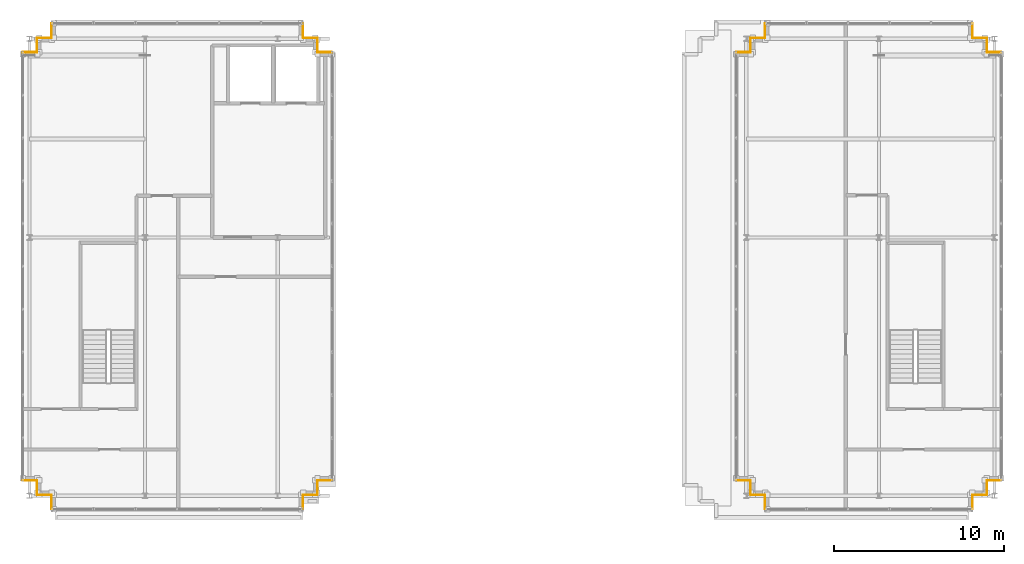
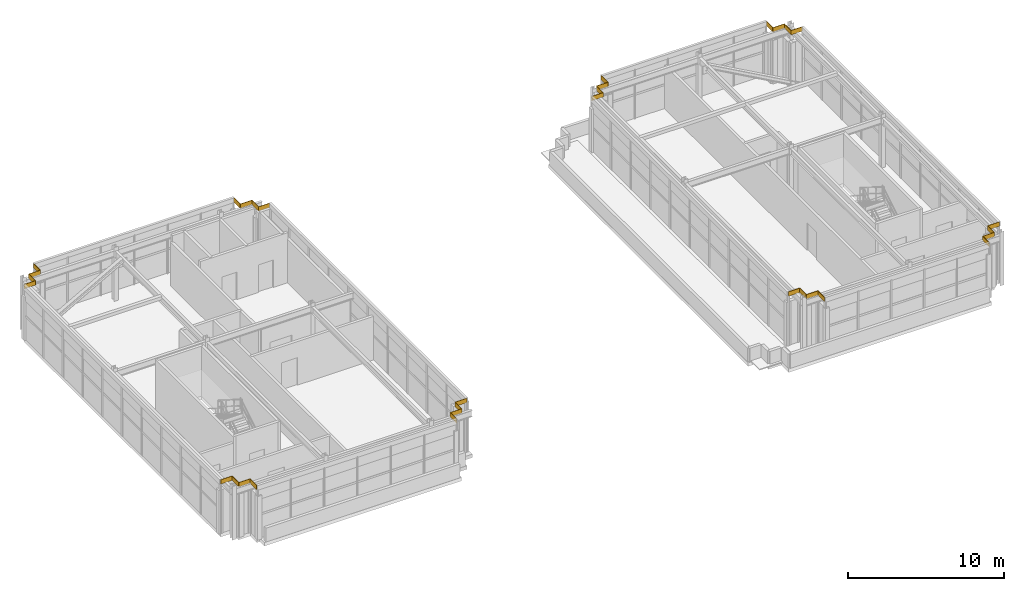
# One storey, part 25 of 25: 32 coverings.
"""IFC4 building model written with IfcOpenShell, lengths in metres."""

from ifc_helpers import new_model, si_unit, direction, frame, origin, origin_2d, place, context, subcontext, project, spatial, rectangle, extrude, source, transform, mapped, material, layer, layer_set, type_object, element, save


model = new_model("IFC4")

# Units and contexts
model_context = context("Model", 3, precision=1e-05, world=origin(), true_north=direction((0.0, 1.0)))
body_context = subcontext(model_context, "Body", "Model", "MODEL_VIEW")
ifc_project = project(units=[si_unit("LENGTHUNIT", "METRE"), si_unit("AREAUNIT", "SQUARE_METRE"), si_unit("VOLUMEUNIT", "CUBIC_METRE"), si_unit("PLANEANGLEUNIT", "RADIAN"), si_unit("MASSUNIT", "GRAM", prefix="KILO")], contexts=[model_context])

# Site, building, storey
site_placement = place(None, origin())
site = spatial("IfcSite", under=ifc_project, at=site_placement, CompositionType="ELEMENT")
building_placement = place(site_placement, origin())
building = spatial("IfcBuilding", under=site, at=building_placement, Name="Trelvane Seafront Commons", CompositionType="ELEMENT")
storey_placement = place(building_placement, frame((0.0, 0.0, 316.699951171875)))
storey = spatial("IfcBuildingStorey", under=building, at=storey_placement, Name="L82", CompositionType="ELEMENT", Elevation=316.699951171875)

# Coverings
ifc_material = material(Name="Anodised pale-silver aluminium", Category="aluminium")
ifc_layer = layer(ifc_material, 0.034912109375, Name="ARCH-COV-CLAD35")
ifc_layer_set = layer_set([ifc_layer], Name="Anodised pale-silver aluminium")
covering_type = type_object("IfcCoveringType", Name="ARCH-COV-CLAD35", PredefinedType="CLADDING", material=ifc_layer_set)
shared_shape = source(origin(), body_context, "Body", "SweptSolid", [
    extrude(rectangle(XDim=0.85009765625, YDim=0.034912109375, at=origin_2d()), origin(), (0.0, 0.0, 1.0), 0.340087890625),
])
for number, where, z_axis, x_axis, name in (
    (1, (9.675048828125, 18.25, 3.85986328125), (0.0, 0.0, 1.0), (-1.0, 0.0, 0.0), "CLD-L82-0633"),
    (2, (9.25, 18.675048828125, 3.85986328125), (0.0, 0.0, 1.0), (0.0, 1.0, 0.0), "CLD-L82-0636"),
    (3, (8.824951171875, 19.10009765625, 3.85986328125), (0.0, 0.0, 1.0), (-1.0, 0.0, 0.0), "CLD-L82-0639"),
    (4, (8.824951171875, 44.300048828125, 3.85986328125), (0.0, 0.0, 1.0), (1.0, 0.0, 0.0), "CLD-L82-0643"),
    (5, (9.25, 44.72509765625, 3.85986328125), (0.0, 0.0, 1.0), (0.0, 1.0, 0.0), "CLD-L82-0646"),
    (6, (9.675048828125, 45.14990234375, 3.85986328125), (0.0, 0.0, 1.0), (1.0, 0.0, 0.0), "CLD-L82-0649"),
    (7, (10.10009765625, 45.574951171875, 3.85986328125), (0.0, 0.0, 1.0), (0.0, 1.0, 0.0), "CLD-L82-0652"),
    (8, (24.89990234375, 45.574951171875, 3.85986328125), (0.0, 0.0, 1.0), (0.0, -1.0, 0.0), "CLD-L82-0656"),
    (9, (25.324951171875, 45.14990234375, 3.85986328125), (0.0, 0.0, 1.0), (1.0, 0.0, 0.0), "CLD-L82-0659"),
    (10, (25.75, 44.72509765625, 3.85986328125), (0.0, 0.0, 1.0), (0.0, -1.0, 0.0), "CLD-L82-0662"),
    (11, (26.175048828125, 44.300048828125, 3.85986328125), (0.0, 0.0, 1.0), (1.0, 0.0, 0.0), "CLD-L82-0665"),
    (12, (26.175048828125, 19.10009765625, 3.85986328125), (0.0, 0.0, 1.0), (-1.0, 0.0, 0.0), "CLD-L82-0669"),
    (13, (25.75, 18.675048828125, 3.85986328125), (0.0, 0.0, 1.0), (0.0, -1.0, 0.0), "CLD-L82-0672"),
    (14, (25.324951171875, 18.25, 3.85986328125), (0.0, 0.0, 1.0), (-1.0, 0.0, 0.0), "CLD-L82-0675"),
    (15, (24.89990234375, 17.824951171875, 3.85986328125), (0.0, 0.0, 1.0), (0.0, -1.0, 0.0), "CLD-L82-0678"),
    (16, (10.10009765625, 17.824951171875, 3.85986328125), (0.0, 0.0, 1.0), (0.0, 1.0, 0.0), "CLD-L82-0682"),
    (17, (51.675048828125, 18.25, 3.85986328125), (0.0, 0.0, 1.0), (-1.0, 0.0, 0.0), "CLD-L82-0685"),
    (18, (51.25, 18.675048828125, 3.85986328125), (0.0, 0.0, 1.0), (0.0, 1.0, 0.0), "CLD-L82-0688"),
    (19, (50.824951171875, 19.10009765625, 3.85986328125), (0.0, 0.0, 1.0), (-1.0, 0.0, 0.0), "CLD-L82-0691"),
    (20, (50.824951171875, 44.300048828125, 3.85986328125), (0.0, 0.0, 1.0), (1.0, 0.0, 0.0), "CLD-L82-0695"),
    (21, (51.25, 44.72509765625, 3.85986328125), (0.0, 0.0, 1.0), (0.0, 1.0, 0.0), "CLD-L82-0698"),
    (22, (51.675048828125, 45.14990234375, 3.85986328125), (0.0, 0.0, 1.0), (1.0, 0.0, 0.0), "CLD-L82-0701"),
    (23, (52.10009765625, 45.574951171875, 3.85986328125), (0.0, 0.0, 1.0), (0.0, 1.0, 0.0), "CLD-L82-0704"),
    (24, (64.300048828125, 45.574951171875, 3.85986328125), (0.0, 0.0, 1.0), (0.0, -1.0, 0.0), "CLD-L82-0708"),
    (25, (64.72509765625, 45.14990234375, 3.85986328125), (0.0, 0.0, 1.0), (1.0, 0.0, 0.0), "CLD-L82-0711"),
    (26, (65.14990234375, 44.72509765625, 3.85986328125), (0.0, 0.0, 1.0), (0.0, -1.0, 0.0), "CLD-L82-0714"),
    (27, (65.574951171875, 44.300048828125, 3.85986328125), (0.0, 0.0, 1.0), (1.0, 0.0, 0.0), "CLD-L82-0717"),
    (28, (65.574951171875, 19.10009765625, 3.85986328125), (0.0, 0.0, 1.0), (-1.0, 0.0, 0.0), "CLD-L82-0721"),
    (29, (65.14990234375, 18.675048828125, 3.85986328125), (0.0, 0.0, 1.0), (0.0, -1.0, 0.0), "CLD-L82-0724"),
    (30, (64.72509765625, 18.25, 3.85986328125), (0.0, 0.0, 1.0), (-1.0, 0.0, 0.0), "CLD-L82-0727"),
    (31, (64.300048828125, 17.824951171875, 3.85986328125), (0.0, 0.0, 1.0), (0.0, -1.0, 0.0), "CLD-L82-0730"),
    (32, (52.10009765625, 17.824951171875, 3.85986328125), (0.0, 0.0, 1.0), (0.0, 1.0, 0.0), "CLD-L82-0734"),
):
    element("IfcCovering", number, at=place(storey_placement, frame(where, z_axis=z_axis, x_axis=x_axis)), inside=storey, type_object=covering_type, Name=name, PredefinedType="CLADDING", context=body_context, shape_type="MappedRepresentation", body=[
        mapped(shared_shape, transform((0.0, 0.0, 0.0), x_axis=(1.0, 0.0, 0.0), y_axis=(0.0, 1.0, 0.0), z_axis=(0.0, 0.0, 1.0), scale=1.0)),
    ])

save(model, "model.ifc")
